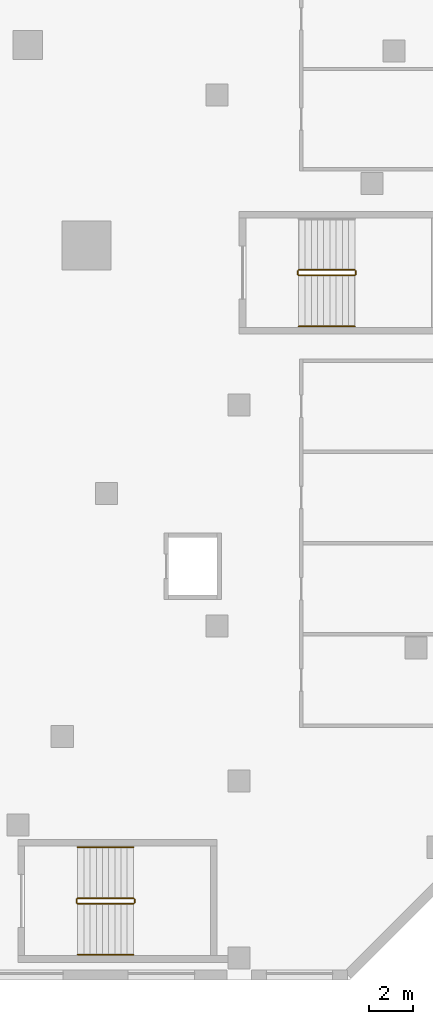
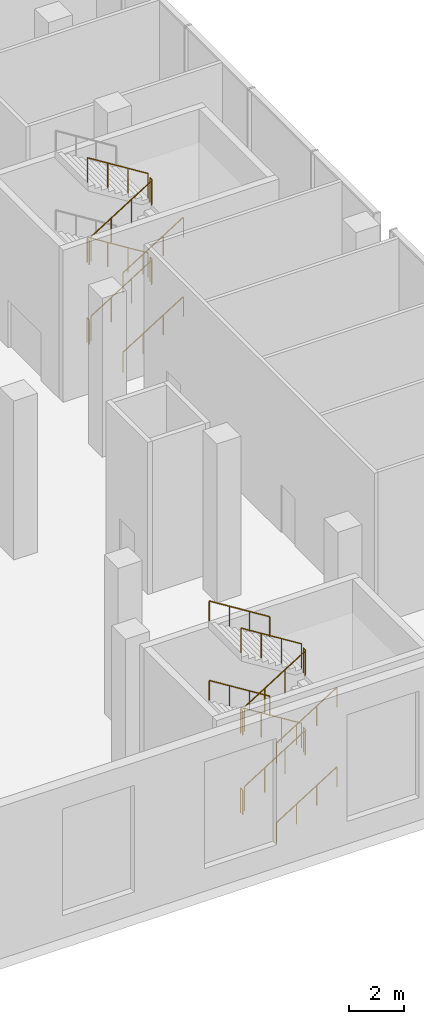
# One storey, part 36 of 41: 22 railings.
"""IFC4 building model written with IfcOpenShell, lengths in metres."""

from ifc_helpers import new_model, si_unit, direction, frame, origin, origin_2d, place, context, subcontext, project, spatial, circle, extrude, material, type_object, element, save


model = new_model("IFC4")

# Units and contexts
model_context = context("Model", 3, precision=1e-05, world=origin(), true_north=direction((0.0, 1.0)))
body_context = subcontext(model_context, "Body", "Model", "MODEL_VIEW")
ifc_project = project(units=[si_unit("LENGTHUNIT", "METRE"), si_unit("AREAUNIT", "SQUARE_METRE"), si_unit("VOLUMEUNIT", "CUBIC_METRE"), si_unit("PLANEANGLEUNIT", "RADIAN"), si_unit("MASSUNIT", "GRAM", prefix="KILO")], contexts=[model_context])

# Site, building, storey
site_placement = place(None, origin())
site = spatial("IfcSite", under=ifc_project, at=site_placement, CompositionType="ELEMENT")
building_placement = place(site_placement, origin())
building = spatial("IfcBuilding", under=site, at=building_placement, Name="Wharfspan Tower", CompositionType="ELEMENT")
storey_placement = place(building_placement, frame((0.0, 0.0, 8.0)))
storey = spatial("IfcBuildingStorey", under=building, at=storey_placement, Name="L01", CompositionType="ELEMENT", Elevation=8.0)

# Railings
ifc_material = material(Name="Steel S355J2", Category="steel")
railing_type_1 = type_object("IfcRailingType", Name="Podium guard 1100", PredefinedType="GUARDRAIL", material=ifc_material)
railing_1_placement = place(storey_placement, frame((89.699951, -28.550049, 0.175049)))
element("IfcRailing", 1, at=railing_1_placement, inside=storey, type_object=railing_type_1, Name="L01 AS2 stair guard 1", PredefinedType="GUARDRAIL", context=body_context, shape_type="SweptSolid", body=[
    extrude(circle(Radius=0.023926, at=origin_2d()), frame((0.0, 0.0, 1.076172), z_axis=(0.848008, 0.0, 0.529984), x_axis=(0.0, 1.0, 0.0)), (0.0, 0.0, 1.0), 2.97168),
    extrude(circle(Radius=0.020996, at=origin_2d()), origin(), (0.0, 0.0, 1.0), 1.052002),
    extrude(circle(Radius=0.020996, at=origin_2d()), frame((0.840088, 0.0, 0.524902)), (0.0, 0.0, 1.0), 1.052002),
    extrude(circle(Radius=0.020996, at=origin_2d()), frame((1.679932, 0.0, 1.050049)), (0.0, 0.0, 1.0), 1.052002),
    extrude(circle(Radius=0.020996, at=origin_2d()), frame((2.52002, 0.0, 1.574951)), (0.0, 0.0, 1.0), 1.052002),
])
railing_2_placement = place(storey_placement, frame((92.27002, -28.5, 1.75)))
element("IfcRailing", 2, at=railing_2_placement, inside=storey, type_object=railing_type_1, Name="L01 AS2 stair guard 2", PredefinedType="GUARDRAIL", context=body_context, shape_type="SweptSolid", body=[
    extrude(circle(Radius=0.023926, at=origin_2d()), frame((0.0, 0.0, 1.076172), z_axis=(0.0, 1.0, 0.0), x_axis=(-1.0, 0.0, 0.0)), (0.0, 0.0, 1.0), 0.149902),
    extrude(circle(Radius=0.020996, at=origin_2d()), origin(), (0.0, 0.0, 1.0), 1.052002),
    extrude(circle(Radius=0.020996, at=origin_2d()), frame((0.0, 0.149902, 0.0)), (0.0, 0.0, 1.0), 1.052002),
])
railing_3_placement = place(storey_placement, frame((92.219971, -28.300049, 1.925049)))
element("IfcRailing", 3, at=railing_3_placement, inside=storey, type_object=railing_type_1, Name="L01 AS2 stair guard 3", PredefinedType="GUARDRAIL", context=body_context, shape_type="SweptSolid", body=[
    extrude(circle(Radius=0.023926, at=origin_2d()), frame((0.0, 0.0, 1.076172), z_axis=(-0.848008, 0.0, 0.529984), x_axis=(0.0, -1.0, 0.0)), (0.0, 0.0, 1.0), 2.97168),
    extrude(circle(Radius=0.020996, at=origin_2d()), origin(), (0.0, 0.0, 1.0), 1.052002),
    extrude(circle(Radius=0.020996, at=origin_2d()), frame((-0.840088, 0.0, 0.524902)), (0.0, 0.0, 1.0), 1.052002),
    extrude(circle(Radius=0.020996, at=origin_2d()), frame((-1.679932, 0.0, 1.050049)), (0.0, 0.0, 1.0), 1.052002),
    extrude(circle(Radius=0.020996, at=origin_2d()), frame((-2.52002, 0.0, 1.574951)), (0.0, 0.0, 1.0), 1.052002),
])
railing_4_placement = place(storey_placement, frame((89.649902, -28.5, 3.5)))
element("IfcRailing", 4, at=railing_4_placement, inside=storey, type_object=railing_type_1, Name="L01 AS2 stair guard 4", PredefinedType="GUARDRAIL", context=body_context, shape_type="SweptSolid", body=[
    extrude(circle(Radius=0.023926, at=origin_2d()), frame((0.0, 0.0, 1.076172), z_axis=(0.0, 1.0, 0.0), x_axis=(-1.0, 0.0, 0.0)), (0.0, 0.0, 1.0), 0.149902),
    extrude(circle(Radius=0.020996, at=origin_2d()), origin(), (0.0, 0.0, 1.0), 1.052002),
    extrude(circle(Radius=0.020996, at=origin_2d()), frame((0.0, 0.149902, 0.0)), (0.0, 0.0, 1.0), 1.052002),
])
railing_5_placement = place(storey_placement, frame((89.699951, -28.550049, 3.675049)))
element("IfcRailing", 5, at=railing_5_placement, inside=storey, type_object=railing_type_1, Name="L01 AS2 stair guard 5", PredefinedType="GUARDRAIL", context=body_context, shape_type="SweptSolid", body=[
    extrude(circle(Radius=0.023926, at=origin_2d()), frame((0.0, 0.0, 1.076172), z_axis=(0.848008, 0.0, 0.529984), x_axis=(0.0, 1.0, 0.0)), (0.0, 0.0, 1.0), 2.97168),
    extrude(circle(Radius=0.020996, at=origin_2d()), origin(), (0.0, 0.0, 1.0), 1.052002),
    extrude(circle(Radius=0.020996, at=origin_2d()), frame((0.840088, 0.0, 0.524902)), (0.0, 0.0, 1.0), 1.052002),
    extrude(circle(Radius=0.020996, at=origin_2d()), frame((1.679932, 0.0, 1.050049)), (0.0, 0.0, 1.0), 1.052002),
    extrude(circle(Radius=0.020996, at=origin_2d()), frame((2.52002, 0.0, 1.574951)), (0.0, 0.0, 1.0), 1.052002),
])
railing_6_placement = place(storey_placement, frame((92.27002, -28.5, 5.25)))
element("IfcRailing", 6, at=railing_6_placement, inside=storey, type_object=railing_type_1, Name="L01 AS2 stair guard 6", PredefinedType="GUARDRAIL", context=body_context, shape_type="SweptSolid", body=[
    extrude(circle(Radius=0.023926, at=origin_2d()), frame((0.0, 0.0, 1.076172), z_axis=(0.0, 1.0, 0.0), x_axis=(-1.0, 0.0, 0.0)), (0.0, 0.0, 1.0), 0.149902),
    extrude(circle(Radius=0.020996, at=origin_2d()), origin(), (0.0, 0.0, 1.0), 1.052002),
    extrude(circle(Radius=0.020996, at=origin_2d()), frame((0.0, 0.149902, 0.0)), (0.0, 0.0, 1.0), 1.052002),
])
railing_7_placement = place(storey_placement, frame((92.219971, -28.300049, 5.425049)))
element("IfcRailing", 7, at=railing_7_placement, inside=storey, type_object=railing_type_1, Name="L01 AS2 stair guard 7", PredefinedType="GUARDRAIL", context=body_context, shape_type="SweptSolid", body=[
    extrude(circle(Radius=0.023926, at=origin_2d()), frame((0.0, 0.0, 1.076172), z_axis=(-0.848008, 0.0, 0.529984), x_axis=(0.0, -1.0, 0.0)), (0.0, 0.0, 1.0), 2.97168),
    extrude(circle(Radius=0.020996, at=origin_2d()), origin(), (0.0, 0.0, 1.0), 1.052002),
    extrude(circle(Radius=0.020996, at=origin_2d()), frame((-0.840088, 0.0, 0.524902)), (0.0, 0.0, 1.0), 1.052002),
    extrude(circle(Radius=0.020996, at=origin_2d()), frame((-1.679932, 0.0, 1.050049)), (0.0, 0.0, 1.0), 1.052002),
    extrude(circle(Radius=0.020996, at=origin_2d()), frame((-2.52002, 0.0, 1.574951)), (0.0, 0.0, 1.0), 1.052002),
])
railing_8_placement = place(storey_placement, frame((89.649902, -28.5, 0.0)))
element("IfcRailing", 8, at=railing_8_placement, inside=storey, type_object=railing_type_1, Name="L01 AS2 stair guard 8", PredefinedType="GUARDRAIL", context=body_context, shape_type="SweptSolid", body=[
    extrude(circle(Radius=0.023926, at=origin_2d()), frame((0.0, 0.0, 1.076172), z_axis=(0.0, 1.0, 0.0), x_axis=(-1.0, 0.0, 0.0)), (0.0, 0.0, 1.0), 0.149902),
    extrude(circle(Radius=0.020996, at=origin_2d()), origin(), (0.0, 0.0, 1.0), 1.052002),
    extrude(circle(Radius=0.020996, at=origin_2d()), frame((0.0, 0.149902, 0.0)), (0.0, 0.0, 1.0), 1.052002),
])
railing_9_placement = place(storey_placement, frame((99.699951, -0.149902, 0.175049)))
element("IfcRailing", 9, at=railing_9_placement, inside=storey, type_object=railing_type_1, Name="L01 AS8 stair guard 1", PredefinedType="GUARDRAIL", context=body_context, shape_type="SweptSolid", body=[
    extrude(circle(Radius=0.023926, at=origin_2d()), frame((0.0, 0.0, 1.076172), z_axis=(0.848008, 0.0, 0.529984), x_axis=(0.0, 1.0, 0.0)), (0.0, 0.0, 1.0), 2.97168),
    extrude(circle(Radius=0.020996, at=origin_2d()), origin(), (0.0, 0.0, 1.0), 1.052002),
    extrude(circle(Radius=0.020996, at=origin_2d()), frame((0.840088, 0.0, 0.524902)), (0.0, 0.0, 1.0), 1.052002),
    extrude(circle(Radius=0.020996, at=origin_2d()), frame((1.679932, 0.0, 1.050049)), (0.0, 0.0, 1.0), 1.052002),
    extrude(circle(Radius=0.020996, at=origin_2d()), frame((2.52002, 0.0, 1.574951)), (0.0, 0.0, 1.0), 1.052002),
])
railing_10_placement = place(storey_placement, frame((102.27002, -0.100098, 1.75)))
element("IfcRailing", 10, at=railing_10_placement, inside=storey, type_object=railing_type_1, Name="L01 AS8 stair guard 2", PredefinedType="GUARDRAIL", context=body_context, shape_type="SweptSolid", body=[
    extrude(circle(Radius=0.023926, at=origin_2d()), frame((0.0, 0.0, 1.076172), z_axis=(0.0, 1.0, 0.0), x_axis=(-1.0, 0.0, 0.0)), (0.0, 0.0, 1.0), 0.150146),
    extrude(circle(Radius=0.020996, at=origin_2d()), origin(), (0.0, 0.0, 1.0), 1.052002),
    extrude(circle(Radius=0.020996, at=origin_2d()), frame((0.0, 0.150146, 0.0)), (0.0, 0.0, 1.0), 1.052002),
])
railing_11_placement = place(storey_placement, frame((102.219971, 0.100098, 1.925049)))
element("IfcRailing", 11, at=railing_11_placement, inside=storey, type_object=railing_type_1, Name="L01 AS8 stair guard 3", PredefinedType="GUARDRAIL", context=body_context, shape_type="SweptSolid", body=[
    extrude(circle(Radius=0.023926, at=origin_2d()), frame((0.0, 0.0, 1.076172), z_axis=(-0.848008, 0.0, 0.529984), x_axis=(0.0, -1.0, 0.0)), (0.0, 0.0, 1.0), 2.97168),
    extrude(circle(Radius=0.020996, at=origin_2d()), origin(), (0.0, 0.0, 1.0), 1.052002),
    extrude(circle(Radius=0.020996, at=origin_2d()), frame((-0.840088, 0.0, 0.524902)), (0.0, 0.0, 1.0), 1.052002),
    extrude(circle(Radius=0.020996, at=origin_2d()), frame((-1.679932, 0.0, 1.050049)), (0.0, 0.0, 1.0), 1.052002),
    extrude(circle(Radius=0.020996, at=origin_2d()), frame((-2.52002, 0.0, 1.574951)), (0.0, 0.0, 1.0), 1.052002),
])
railing_12_placement = place(storey_placement, frame((99.649902, -0.100098, 3.5)))
element("IfcRailing", 12, at=railing_12_placement, inside=storey, type_object=railing_type_1, Name="L01 AS8 stair guard 4", PredefinedType="GUARDRAIL", context=body_context, shape_type="SweptSolid", body=[
    extrude(circle(Radius=0.023926, at=origin_2d()), frame((0.0, 0.0, 1.076172), z_axis=(0.0, 1.0, 0.0), x_axis=(-1.0, 0.0, 0.0)), (0.0, 0.0, 1.0), 0.150146),
    extrude(circle(Radius=0.020996, at=origin_2d()), origin(), (0.0, 0.0, 1.0), 1.052002),
    extrude(circle(Radius=0.020996, at=origin_2d()), frame((0.0, 0.150146, 0.0)), (0.0, 0.0, 1.0), 1.052002),
])
railing_13_placement = place(storey_placement, frame((99.699951, -0.149902, 3.675049)))
element("IfcRailing", 13, at=railing_13_placement, inside=storey, type_object=railing_type_1, Name="L01 AS8 stair guard 5", PredefinedType="GUARDRAIL", context=body_context, shape_type="SweptSolid", body=[
    extrude(circle(Radius=0.023926, at=origin_2d()), frame((0.0, 0.0, 1.076172), z_axis=(0.848008, 0.0, 0.529984), x_axis=(0.0, 1.0, 0.0)), (0.0, 0.0, 1.0), 2.97168),
    extrude(circle(Radius=0.020996, at=origin_2d()), origin(), (0.0, 0.0, 1.0), 1.052002),
    extrude(circle(Radius=0.020996, at=origin_2d()), frame((0.840088, 0.0, 0.524902)), (0.0, 0.0, 1.0), 1.052002),
    extrude(circle(Radius=0.020996, at=origin_2d()), frame((1.679932, 0.0, 1.050049)), (0.0, 0.0, 1.0), 1.052002),
    extrude(circle(Radius=0.020996, at=origin_2d()), frame((2.52002, 0.0, 1.574951)), (0.0, 0.0, 1.0), 1.052002),
])
railing_14_placement = place(storey_placement, frame((102.27002, -0.100098, 5.25)))
element("IfcRailing", 14, at=railing_14_placement, inside=storey, type_object=railing_type_1, Name="L01 AS8 stair guard 6", PredefinedType="GUARDRAIL", context=body_context, shape_type="SweptSolid", body=[
    extrude(circle(Radius=0.023926, at=origin_2d()), frame((0.0, 0.0, 1.076172), z_axis=(0.0, 1.0, 0.0), x_axis=(-1.0, 0.0, 0.0)), (0.0, 0.0, 1.0), 0.150146),
    extrude(circle(Radius=0.020996, at=origin_2d()), origin(), (0.0, 0.0, 1.0), 1.052002),
    extrude(circle(Radius=0.020996, at=origin_2d()), frame((0.0, 0.150146, 0.0)), (0.0, 0.0, 1.0), 1.052002),
])
railing_15_placement = place(storey_placement, frame((102.219971, 0.100098, 5.425049)))
element("IfcRailing", 15, at=railing_15_placement, inside=storey, type_object=railing_type_1, Name="L01 AS8 stair guard 7", PredefinedType="GUARDRAIL", context=body_context, shape_type="SweptSolid", body=[
    extrude(circle(Radius=0.023926, at=origin_2d()), frame((0.0, 0.0, 1.076172), z_axis=(-0.848008, 0.0, 0.529984), x_axis=(0.0, -1.0, 0.0)), (0.0, 0.0, 1.0), 2.97168),
    extrude(circle(Radius=0.020996, at=origin_2d()), origin(), (0.0, 0.0, 1.0), 1.052002),
    extrude(circle(Radius=0.020996, at=origin_2d()), frame((-0.840088, 0.0, 0.524902)), (0.0, 0.0, 1.0), 1.052002),
    extrude(circle(Radius=0.020996, at=origin_2d()), frame((-1.679932, 0.0, 1.050049)), (0.0, 0.0, 1.0), 1.052002),
    extrude(circle(Radius=0.020996, at=origin_2d()), frame((-2.52002, 0.0, 1.574951)), (0.0, 0.0, 1.0), 1.052002),
])
railing_16_placement = place(storey_placement, frame((99.649902, -0.100098, 0.0)))
element("IfcRailing", 16, at=railing_16_placement, inside=storey, type_object=railing_type_1, Name="L01 AS8 stair guard 8", PredefinedType="GUARDRAIL", context=body_context, shape_type="SweptSolid", body=[
    extrude(circle(Radius=0.023926, at=origin_2d()), frame((0.0, 0.0, 1.076172), z_axis=(0.0, 1.0, 0.0), x_axis=(-1.0, 0.0, 0.0)), (0.0, 0.0, 1.0), 0.150146),
    extrude(circle(Radius=0.020996, at=origin_2d()), origin(), (0.0, 0.0, 1.0), 1.052002),
    extrude(circle(Radius=0.020996, at=origin_2d()), frame((0.0, 0.150146, 0.0)), (0.0, 0.0, 1.0), 1.052002),
])
railing_type_2 = type_object("IfcRailingType", Name="Podium stair handrail 900", PredefinedType="HANDRAIL", material=ifc_material)
railing_17_placement = place(storey_placement, frame((89.699951, -30.850098, 0.175049)))
element("IfcRailing", 17, at=railing_17_placement, inside=storey, type_object=railing_type_2, Name="L01 AS2 stair handrail 1", PredefinedType="HANDRAIL", context=body_context, shape_type="SweptSolid", body=[
    extrude(circle(Radius=0.023926, at=origin_2d()), frame((0.0, 0.0, 0.875977), z_axis=(0.848008, 0.0, 0.529984), x_axis=(0.0, 1.0, 0.0)), (0.0, 0.0, 1.0), 2.97168),
    extrude(circle(Radius=0.020996, at=origin_2d()), origin(), (0.0, 0.0, 1.0), 0.851807),
    extrude(circle(Radius=0.020996, at=origin_2d()), frame((0.840088, 0.0, 0.524902)), (0.0, 0.0, 1.0), 0.851807),
    extrude(circle(Radius=0.020996, at=origin_2d()), frame((1.679932, 0.0, 1.050049)), (0.0, 0.0, 1.0), 0.851807),
    extrude(circle(Radius=0.020996, at=origin_2d()), frame((2.52002, 0.0, 1.574951)), (0.0, 0.0, 1.0), 0.851807),
])
railing_18_placement = place(storey_placement, frame((92.219971, -26.0, 1.925049)))
element("IfcRailing", 18, at=railing_18_placement, inside=storey, type_object=railing_type_2, Name="L01 AS2 stair handrail 2", PredefinedType="HANDRAIL", context=body_context, shape_type="SweptSolid", body=[
    extrude(circle(Radius=0.023926, at=origin_2d()), frame((0.0, 0.0, 0.875977), z_axis=(-0.848008, 0.0, 0.529984), x_axis=(0.0, -1.0, 0.0)), (0.0, 0.0, 1.0), 2.97168),
    extrude(circle(Radius=0.020996, at=origin_2d()), origin(), (0.0, 0.0, 1.0), 0.851807),
    extrude(circle(Radius=0.020996, at=origin_2d()), frame((-0.840088, 0.0, 0.524902)), (0.0, 0.0, 1.0), 0.851807),
    extrude(circle(Radius=0.020996, at=origin_2d()), frame((-1.679932, 0.0, 1.050049)), (0.0, 0.0, 1.0), 0.851807),
    extrude(circle(Radius=0.020996, at=origin_2d()), frame((-2.52002, 0.0, 1.574951)), (0.0, 0.0, 1.0), 0.851807),
])
railing_19_placement = place(storey_placement, frame((89.699951, -30.850098, 3.675049)))
element("IfcRailing", 19, at=railing_19_placement, inside=storey, type_object=railing_type_2, Name="L01 AS2 stair handrail 3", PredefinedType="HANDRAIL", context=body_context, shape_type="SweptSolid", body=[
    extrude(circle(Radius=0.023926, at=origin_2d()), frame((0.0, 0.0, 0.875977), z_axis=(0.848008, 0.0, 0.529984), x_axis=(0.0, 1.0, 0.0)), (0.0, 0.0, 1.0), 2.97168),
    extrude(circle(Radius=0.020996, at=origin_2d()), origin(), (0.0, 0.0, 1.0), 0.851807),
    extrude(circle(Radius=0.020996, at=origin_2d()), frame((0.840088, 0.0, 0.524902)), (0.0, 0.0, 1.0), 0.851807),
    extrude(circle(Radius=0.020996, at=origin_2d()), frame((1.679932, 0.0, 1.050049)), (0.0, 0.0, 1.0), 0.851807),
    extrude(circle(Radius=0.020996, at=origin_2d()), frame((2.52002, 0.0, 1.574951)), (0.0, 0.0, 1.0), 0.851807),
])
railing_20_placement = place(storey_placement, frame((92.219971, -26.0, 5.425049)))
element("IfcRailing", 20, at=railing_20_placement, inside=storey, type_object=railing_type_2, Name="L01 AS2 stair handrail 4", PredefinedType="HANDRAIL", context=body_context, shape_type="SweptSolid", body=[
    extrude(circle(Radius=0.023926, at=origin_2d()), frame((0.0, 0.0, 0.875977), z_axis=(-0.848008, 0.0, 0.529984), x_axis=(0.0, -1.0, 0.0)), (0.0, 0.0, 1.0), 2.97168),
    extrude(circle(Radius=0.020996, at=origin_2d()), origin(), (0.0, 0.0, 1.0), 0.851807),
    extrude(circle(Radius=0.020996, at=origin_2d()), frame((-0.840088, 0.0, 0.524902)), (0.0, 0.0, 1.0), 0.851807),
    extrude(circle(Radius=0.020996, at=origin_2d()), frame((-1.679932, 0.0, 1.050049)), (0.0, 0.0, 1.0), 0.851807),
    extrude(circle(Radius=0.020996, at=origin_2d()), frame((-2.52002, 0.0, 1.574951)), (0.0, 0.0, 1.0), 0.851807),
])
for number, where, name in (
    (21, (99.699951, -2.449951, 0.175049), "L01 AS8 stair handrail 1"),
    (22, (99.699951, -2.449951, 3.675049), "L01 AS8 stair handrail 3"),
):
    element("IfcRailing", number, at=place(storey_placement, frame(where)), inside=storey, type_object=railing_type_2, Name=name, PredefinedType="HANDRAIL", context=body_context, shape_type="SweptSolid", body=[
        extrude(circle(Radius=0.023926, at=origin_2d()), frame((0.0, 0.0, 0.875977), z_axis=(0.848008, 0.0, 0.529984), x_axis=(0.0, 1.0, 0.0)), (0.0, 0.0, 1.0), 2.97168),
        extrude(circle(Radius=0.020996, at=origin_2d()), origin(), (0.0, 0.0, 1.0), 0.851807),
        extrude(circle(Radius=0.020996, at=origin_2d()), frame((0.840088, 0.0, 0.524902)), (0.0, 0.0, 1.0), 0.851807),
        extrude(circle(Radius=0.020996, at=origin_2d()), frame((1.679932, 0.0, 1.050049)), (0.0, 0.0, 1.0), 0.851807),
        extrude(circle(Radius=0.020996, at=origin_2d()), frame((2.52002, 0.0, 1.574951)), (0.0, 0.0, 1.0), 0.851807),
    ])

save(model, "model.ifc")
